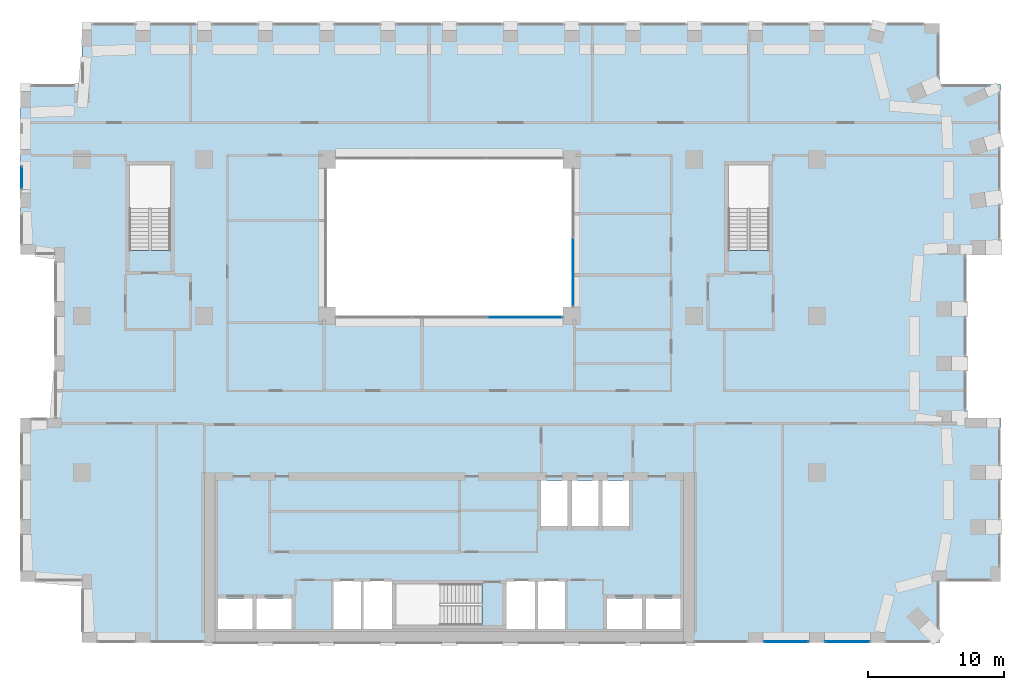
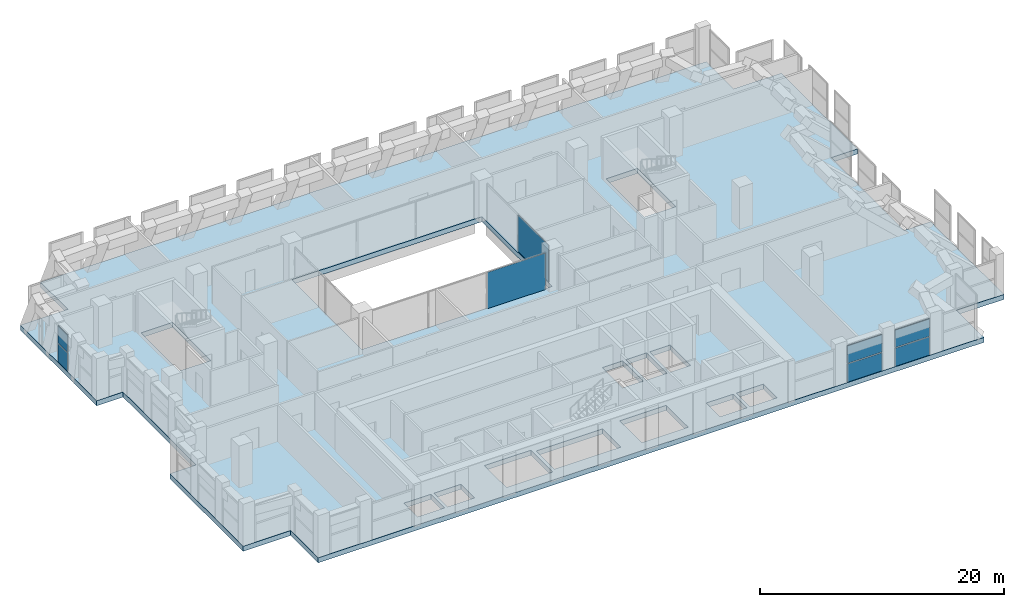
# One storey, part 13 of 20: 8 plates, 1 slab, 5 elements without a shape of their own.
"""IFC4 building model written with IfcOpenShell, lengths in metres."""

from ifc_helpers import new_model, si_unit, direction, frame, origin, origin_2d, place, context, subcontext, project, spatial, polyline, rectangle, outline, extrude, material, layer, layer_set, type_object, element, aggregate, save


model = new_model("IFC4")

# Units and contexts
model_context = context("Model", 3, precision=1e-05, world=origin(), true_north=direction((0.0, 1.0)))
body_context = subcontext(model_context, "Body", "Model", "MODEL_VIEW")
ifc_project = project(units=[si_unit("LENGTHUNIT", "METRE"), si_unit("AREAUNIT", "SQUARE_METRE"), si_unit("VOLUMEUNIT", "CUBIC_METRE"), si_unit("PLANEANGLEUNIT", "RADIAN"), si_unit("MASSUNIT", "GRAM", prefix="KILO")], contexts=[model_context])

# Site, building, storey
site_placement = place(None, origin())
site = spatial("IfcSite", under=ifc_project, at=site_placement, CompositionType="ELEMENT")
building_placement = place(site_placement, origin())
building = spatial("IfcBuilding", under=site, at=building_placement, Name="Brigalow Station Residences", CompositionType="ELEMENT")
storey_placement = place(building_placement, frame((0.0, 0.0, 137.10009765625)))
storey = spatial("IfcBuildingStorey", under=building, at=storey_placement, Name="L39", CompositionType="ELEMENT", Elevation=137.10009765625)

# Curtain wall, plate
ifc_material_1 = material(Name="Aluminium", Category="aluminium")
ifc_layer_1 = layer(ifc_material_1, 0.14990234375)
ifc_layer_set_1 = layer_set([ifc_layer_1], Name="ATRIUM FIRE-RATED GLAZING CURTAIN WALL")
curtain_wall_type_1 = type_object("IfcCurtainWallType", Name="ATRIUM FIRE-RATED GLAZING CURTAIN WALL", PredefinedType="NOTDEFINED", material=ifc_layer_set_1)
curtain_wall_1_placement = place(storey_placement, origin())
curtain_wall_1 = element("IfcCurtainWall", 1, at=curtain_wall_1_placement, inside=storey, type_object=curtain_wall_type_1, Name="L39/cw/atrium-S", PredefinedType="NOTDEFINED")
ifc_material_2 = material(Name="Fire-resisting laminated glazing, FRL -/60/-", Category="glass")
ifc_layer_2 = layer(ifc_material_2, 0.031982421875)
ifc_layer_set_2 = layer_set([ifc_layer_2], Name="ATRIUM FIRE-RATED GLAZING PANEL 32")
plate_type_1 = type_object("IfcPlateType", Name="ATRIUM FIRE-RATED GLAZING PANEL 32", PredefinedType="CURTAIN_PANEL", material=ifc_layer_set_2)
plate_1_placement = place(storey_placement, frame((41.5517578125, 23.89990234375, 0.0), z_axis=(0.0, 0.0, 1.0), x_axis=(1.0, 0.0, 0.0)))
plate_1 = element("IfcPlate", 2, at=plate_1_placement, type_object=plate_type_1, Name="L39/cw/atrium-S/P02-00", PredefinedType="CURTAIN_PANEL", context=body_context, shape_type="SweptSolid", body=[
    extrude(rectangle(XDim=5.476806640625, YDim=0.031982421875, at=origin_2d()), origin(), (0.0, 0.0, 1.0), 3.639892578125),
])
aggregate(curtain_wall_1, [plate_1])

curtain_wall_2_placement = place(storey_placement, origin())
curtain_wall_2 = element("IfcCurtainWall", 3, at=curtain_wall_2_placement, inside=storey, type_object=curtain_wall_type_1, Name="L39/cw/atrium-E", PredefinedType="NOTDEFINED")
plate_2_placement = place(storey_placement, frame((45.10009765625, 27.215087890625, 0.0), z_axis=(0.0, 0.0, 1.0), x_axis=(0.0, 1.0, 0.0)))
plate_2 = element("IfcPlate", 4, at=plate_2_placement, type_object=plate_type_1, Name="L39/cw/atrium-E/P00-00", PredefinedType="CURTAIN_PANEL", context=body_context, shape_type="SweptSolid", body=[
    extrude(rectangle(XDim=5.010009765625, YDim=0.031982421875, at=origin_2d()), origin(), (0.0, 0.0, 1.0), 3.639892578125),
])
aggregate(curtain_wall_2, [plate_2])

# Slab
ifc_material_3 = material(Name="Concrete C50", Category="concrete")
ifc_layer_3 = layer(ifc_material_3, 0.5)
ifc_layer_set_3 = layer_set([ifc_layer_3], Name="POST-TENSIONED REFUGE PLATE 500 C50")
slab_type = type_object("IfcSlabType", Name="POST-TENSIONED REFUGE PLATE 500 C50", PredefinedType="FLOOR", material=ifc_layer_set_3)
slab_placement = place(storey_placement, frame((0.0, 0.0, -0.5)))
element("IfcSlab", 5, at=slab_placement, inside=storey, type_object=slab_type, Name="FLOOR SLAB L39", PredefinedType="FLOOR", context=body_context, shape_type="SweptSolid", body=[
    extrude(outline(polyline([(9.0, 0.0), (72.0, 0.0), (72.0, 4.5), (76.5, 4.5), (76.5, 16.5), (74.0, 16.5), (74.0, 28.5), (76.5, 28.5), (76.5, 41.0), (72.0, 41.0), (72.0, 45.5), (9.0, 45.5), (9.0, 41.0), (4.5, 41.0), (4.5, 28.5), (7.0, 28.5), (7.0, 16.5), (4.5, 16.5), (4.5, 4.5), (9.0, 4.5), (9.0, 0.0)]), holes=[polyline([(12.5048828125, 35.094970703125), (15.4951171875, 35.094970703125), (15.4951171875, 28.804931640625), (12.5048828125, 28.804931640625), (12.5048828125, 35.094970703125)]), polyline([(19.0, 1.0), (19.0, 3.25), (21.550048828125, 3.25), (21.550048828125, 1.0), (19.0, 1.0)]), polyline([(21.85009765625, 3.25), (24.39990234375, 3.25), (24.39990234375, 1.0), (21.85009765625, 1.0), (21.85009765625, 3.25)]), polyline([(27.0, 35.5), (45.0, 35.5), (45.0, 24.0), (27.0, 24.0), (27.0, 35.5)]), polyline([(29.60009765625, 4.60009765625), (31.800048828125, 4.60009765625), (31.800048828125, 1.0), (29.60009765625, 1.0), (27.39990234375, 1.0), (27.39990234375, 4.60009765625), (29.60009765625, 4.60009765625)]), polyline([(32.10498046875, 4.294921875), (38.39501953125, 4.294921875), (38.39501953125, 1.304931640625), (32.10498046875, 1.304931640625), (32.10498046875, 4.294921875)]), polyline([(40.199951171875, 4.60009765625), (42.39990234375, 4.60009765625), (44.60009765625, 4.60009765625), (44.60009765625, 1.0), (42.39990234375, 1.0), (40.199951171875, 1.0), (40.199951171875, 4.60009765625)]), polyline([(42.75, 11.89990234375), (44.699951171875, 11.89990234375), (44.699951171875, 8.550048828125), (42.75, 8.550048828125), (42.75, 11.89990234375)]), polyline([(45.0, 11.89990234375), (46.949951171875, 11.89990234375), (46.949951171875, 8.550048828125), (45.0, 8.550048828125), (45.0, 11.89990234375)]), polyline([(47.25, 11.89990234375), (49.199951171875, 11.89990234375), (49.199951171875, 8.550048828125), (47.25, 8.550048828125), (47.25, 11.89990234375)]), polyline([(47.60009765625, 3.25), (50.14990234375, 3.25), (50.14990234375, 1.0), (47.60009765625, 1.0), (47.60009765625, 3.25)]), polyline([(50.449951171875, 3.25), (53.0, 3.25), (53.0, 1.0), (50.449951171875, 1.0), (50.449951171875, 3.25)]), polyline([(56.5048828125, 35.094970703125), (59.4951171875, 35.094970703125), (59.4951171875, 28.804931640625), (56.5048828125, 28.804931640625), (56.5048828125, 35.094970703125)])]), origin(), (0.0, 0.0, 1.0), 0.5),
])

# Curtain wall, plates
ifc_material_4 = material(Name="Aluminium", Category="aluminium")
ifc_layer_4 = layer(ifc_material_4, 0.199951171875)
ifc_layer_set_4 = layer_set([ifc_layer_4], Name="REFUGE FLOOR LOUVRE CURTAIN WALL")
curtain_wall_type_2 = type_object("IfcCurtainWallType", Name="REFUGE FLOOR LOUVRE CURTAIN WALL", PredefinedType="NOTDEFINED", material=ifc_layer_set_4)
curtain_wall_3_placement = place(storey_placement, origin())
curtain_wall_3 = element("IfcCurtainWall", 6, at=curtain_wall_3_placement, inside=storey, type_object=curtain_wall_type_2, Name="L39/cw/louvre-W-L39-4-4", PredefinedType="NOTDEFINED")
ifc_material_5 = material(Name="Aluminium louvre blade", Category="aluminium")
ifc_layer_5 = layer(ifc_material_5, 0.070068359375)
ifc_layer_set_5 = layer_set([ifc_layer_5], Name="REFUGE FLOOR LOUVRE PANEL 70")
plate_type_2 = type_object("IfcPlateType", Name="REFUGE FLOOR LOUVRE PANEL 70", PredefinedType="CURTAIN_PANEL", material=ifc_layer_set_5)
plate_3_placement = place(storey_placement, frame((60.75, 0.074951171875, -0.000244140625), z_axis=(0.0, 0.0, 1.0), x_axis=(1.0, 0.0, 0.0)))
plate_3 = element("IfcPlate", 7, at=plate_3_placement, type_object=plate_type_2, Name="L39/cw/louvre-W-L39-4-4/P00-00", PredefinedType="CURTAIN_PANEL", context=body_context, shape_type="SweptSolid", body=[
    extrude(rectangle(XDim=3.239990234375, YDim=0.070068359375, at=origin_2d()), origin(), (0.0, 0.0, 1.0), 1.81005859375),
])
plate_4_placement = place(storey_placement, frame((60.75, 0.074951171875, 1.889892578125), z_axis=(0.0, 0.0, 1.0), x_axis=(1.0, 0.0, 0.0)))
plate_4 = element("IfcPlate", 8, at=plate_4_placement, type_object=plate_type_2, Name="L39/cw/louvre-W-L39-4-4/P00-01", PredefinedType="CURTAIN_PANEL", context=body_context, shape_type="SweptSolid", body=[
    extrude(rectangle(XDim=3.239990234375, YDim=0.070068359375, at=origin_2d()), origin(), (0.0, 0.0, 1.0), 1.72998046875),
])
aggregate(curtain_wall_3, [plate_3, plate_4])

curtain_wall_4_placement = place(storey_placement, origin())
curtain_wall_4 = element("IfcCurtainWall", 9, at=curtain_wall_4_placement, inside=storey, type_object=curtain_wall_type_2, Name="L39/cw/louvre-W-L39-4-5", PredefinedType="NOTDEFINED")
plate_5_placement = place(storey_placement, frame((65.25, 0.074951171875, -0.000244140625), z_axis=(0.0, 0.0, 1.0), x_axis=(1.0, 0.0, 0.0)))
plate_5 = element("IfcPlate", 10, at=plate_5_placement, type_object=plate_type_2, Name="L39/cw/louvre-W-L39-4-5/P00-00", PredefinedType="CURTAIN_PANEL", context=body_context, shape_type="SweptSolid", body=[
    extrude(rectangle(XDim=3.239990234375, YDim=0.070068359375, at=origin_2d()), origin(), (0.0, 0.0, 1.0), 1.81005859375),
])
plate_6_placement = place(storey_placement, frame((65.25, 0.074951171875, 1.889892578125), z_axis=(0.0, 0.0, 1.0), x_axis=(1.0, 0.0, 0.0)))
plate_6 = element("IfcPlate", 11, at=plate_6_placement, type_object=plate_type_2, Name="L39/cw/louvre-W-L39-4-5/P00-01", PredefinedType="CURTAIN_PANEL", context=body_context, shape_type="SweptSolid", body=[
    extrude(rectangle(XDim=3.239990234375, YDim=0.070068359375, at=origin_2d()), origin(), (0.0, 0.0, 1.0), 1.72998046875),
])
aggregate(curtain_wall_4, [plate_5, plate_6])

curtain_wall_5_placement = place(storey_placement, origin())
curtain_wall_5 = element("IfcCurtainWall", 12, at=curtain_wall_5_placement, inside=storey, type_object=curtain_wall_type_2, Name="L39/cw/louvre-W-L39-39-37", PredefinedType="NOTDEFINED")
plate_7_placement = place(storey_placement, frame((4.574951171875, 34.160888671875, -0.000244140625), z_axis=(0.0, 0.0, 1.0), x_axis=(0.0, -1.0, 0.0)))
plate_7 = element("IfcPlate", 13, at=plate_7_placement, type_object=plate_type_2, Name="L39/cw/louvre-W-L39-39-37/P00-00", PredefinedType="CURTAIN_PANEL", context=body_context, shape_type="SweptSolid", body=[
    extrude(rectangle(XDim=1.546875, YDim=0.070068359375, at=origin_2d()), origin(), (0.0, 0.0, 1.0), 1.81005859375),
])
plate_8_placement = place(storey_placement, frame((4.574951171875, 34.160888671875, 1.889892578125), z_axis=(0.0, 0.0, 1.0), x_axis=(0.0, -1.0, 0.0)))
plate_8 = element("IfcPlate", 14, at=plate_8_placement, type_object=plate_type_2, Name="L39/cw/louvre-W-L39-39-37/P00-01", PredefinedType="CURTAIN_PANEL", context=body_context, shape_type="SweptSolid", body=[
    extrude(rectangle(XDim=1.546875, YDim=0.070068359375, at=origin_2d()), origin(), (0.0, 0.0, 1.0), 1.72998046875),
])
aggregate(curtain_wall_5, [plate_7, plate_8])

save(model, "model.ifc")
